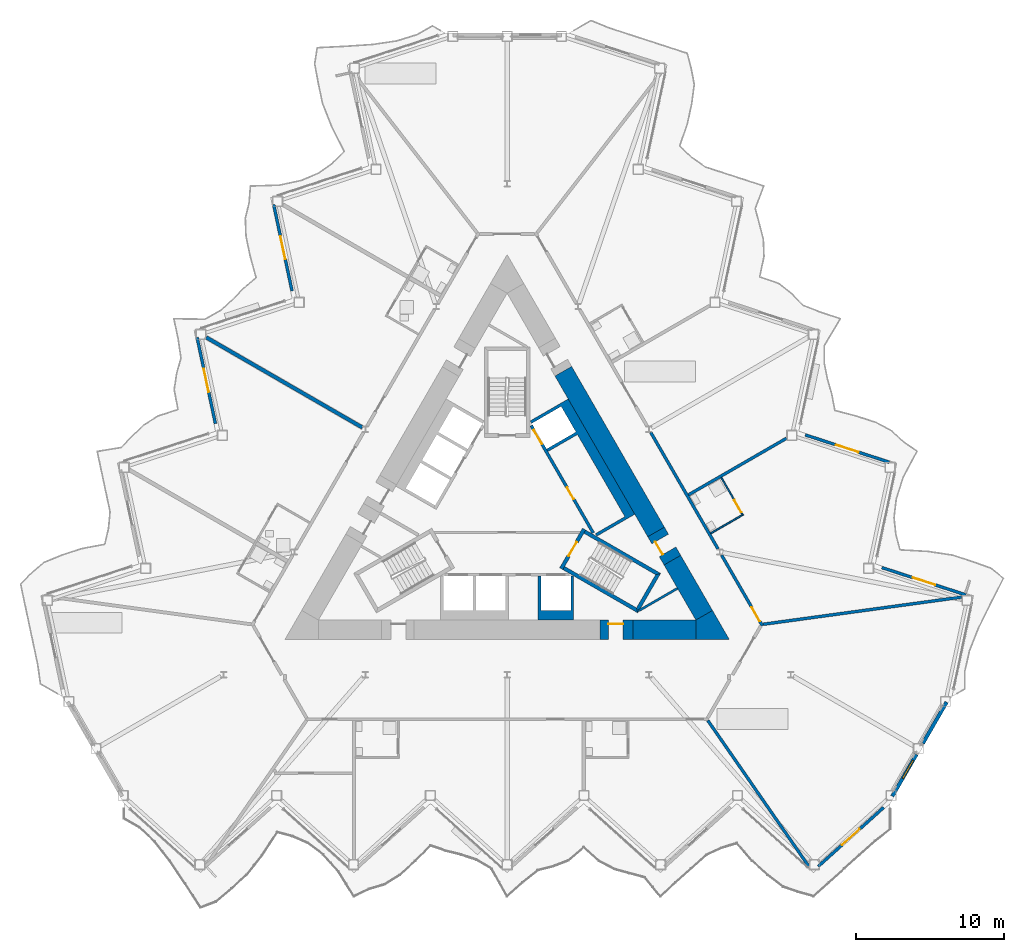
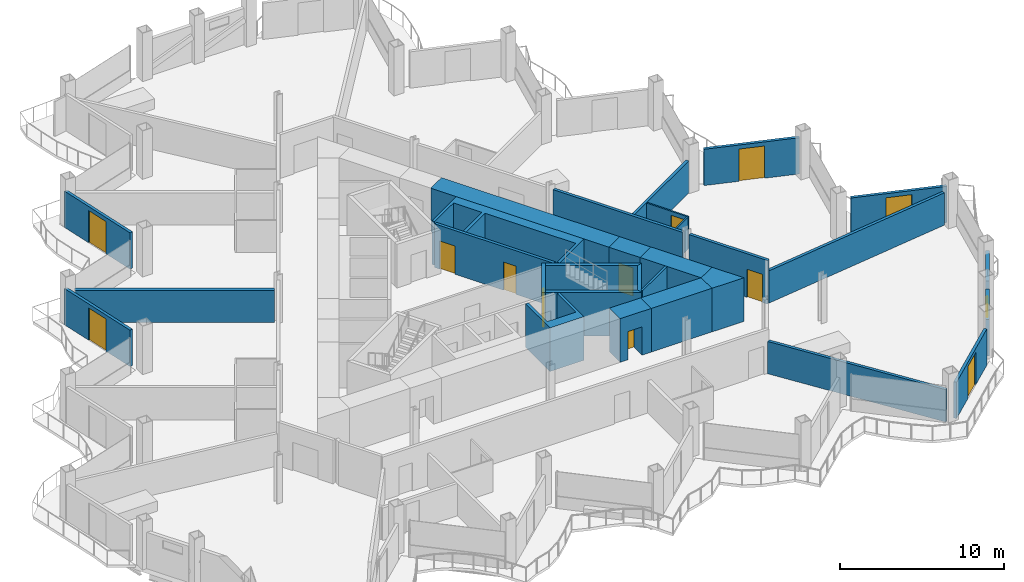
# One storey, part 13 of 23: 29 walls, 12 doors, 1 window, 13 openings.
"""IFC4 building model written with IfcOpenShell, lengths in metres."""

from ifc_helpers import new_model, si_unit, direction, frame, frame_2d, origin, place, context, subcontext, project, spatial, polyline, rectangle, outline, extrude, material, layer, layer_set, type_object, element, fill, save


model = new_model("IFC4")

# Units and contexts
model_context = context("Model", 3, precision=1e-05, world=origin(), true_north=direction((0.0, 1.0)))
body_context = subcontext(model_context, "Body", "Model", "MODEL_VIEW")
ifc_project = project(units=[si_unit("LENGTHUNIT", "METRE"), si_unit("AREAUNIT", "SQUARE_METRE"), si_unit("VOLUMEUNIT", "CUBIC_METRE"), si_unit("PLANEANGLEUNIT", "RADIAN"), si_unit("MASSUNIT", "GRAM", prefix="KILO")], contexts=[model_context])

# Site, building, storey
site_placement = place(None, origin())
site = spatial("IfcSite", under=ifc_project, at=site_placement, CompositionType="ELEMENT")
building_placement = place(site_placement, origin())
building = spatial("IfcBuilding", under=site, at=building_placement, Name="Cormorant Prow Tower", CompositionType="ELEMENT")
storey_placement = place(building_placement, frame((0.0, 0.0, 245.39990234375)))
storey = spatial("IfcBuildingStorey", under=building, at=storey_placement, Name="L54", CompositionType="ELEMENT", Elevation=245.39990234375)

# Walls
ifc_material_1 = material(Name="Gypsum board partition")
ifc_layer_1 = layer(ifc_material_1, 0.14990234375)
ifc_layer_set_1 = layer_set([ifc_layer_1], Name="Gypsum board partition")
wall_type_1 = type_object("IfcWallType", Name="Core partition 150", PredefinedType="PARTITIONING", material=ifc_layer_set_1)
wall_1_placement = place(storey_placement, frame((11.511474609375, -5.2177734375, 0.0), z_axis=(0.0, 0.0, 1.0), x_axis=(-0.866045649925, -0.499964931016, 0.0)))
element("IfcWall", 1, at=wall_1_placement, inside=storey, type_object=wall_type_1, Name="Service room partition", PredefinedType="PARTITIONING", context=body_context, shape_type="SweptSolid", body=[
    extrude(rectangle(XDim=2.992431640625, YDim=0.14990234375, at=frame_2d((1.49609375, 0.0))), origin(), (0.0, 0.0, 1.0), 3.25),
])
ifc_material_2 = material(Name="Concrete 8000 psi", Category="concrete")
ifc_layer_2 = layer(ifc_material_2, 1.300048828125)
ifc_layer_set_2 = layer_set([ifc_layer_2], Name="Concrete 8000 psi")
wall_type_2 = type_object("IfcWallType", Name="Core shear wall 1300", PredefinedType="SHEAR", material=ifc_layer_set_2)
wall_2_placement = place(storey_placement, frame((8.48828125, -8.01025390625, 0.0), z_axis=(0.0, 0.0, 1.0), x_axis=(1.0, 0.0, 0.0)))
element("IfcWall", 2, at=wall_2_placement, inside=storey, type_object=wall_type_2, Name="Core wall", PredefinedType="SHEAR", context=body_context, shape_type="SweptSolid", body=[
    extrude(rectangle(XDim=4.260009765625, YDim=1.300048828125, at=frame_2d((2.1298828125, 0.0))), origin(), (0.0, 0.0, 1.0), 3.25),
])
wall_3_placement = place(storey_placement, frame((10.0625, -1.408203125, 0.0), z_axis=(0.0, 0.0, 1.0), x_axis=(-0.500000545805, 0.866025088663, 0.0)))
element("IfcWall", 3, at=wall_3_placement, inside=storey, type_object=wall_type_2, Name="Core wall", PredefinedType="SHEAR", context=body_context, shape_type="SweptSolid", body=[
    extrude(rectangle(XDim=12.5390625, YDim=1.300048828125, at=frame_2d((6.26953125, 0.0))), origin(), (0.0, 0.0, 1.0), 3.25),
])
wall_4_placement = place(storey_placement, frame((13.311279296875, -7.035400390625, 0.0), z_axis=(0.0, 0.0, 1.0), x_axis=(-0.500012574659, 0.86601814368, 0.0)))
element("IfcWall", 4, at=wall_4_placement, inside=storey, type_object=wall_type_2, Name="Core wall", PredefinedType="SHEAR", context=body_context, shape_type="SweptSolid", body=[
    extrude(rectangle(XDim=4.2978515625, YDim=1.300048828125, at=frame_2d((2.14892578125, 0.0))), origin(), (0.0, 0.0, 1.0), 3.25),
])
wall_5_placement = place(storey_placement, origin())
element("IfcWall", 5, at=wall_5_placement, inside=storey, type_object=wall_type_2, Name="Core wall corner", PredefinedType="SHEAR", context=body_context, shape_type="SweptSolid", body=[
    extrude(outline(polyline([(12.748291015625, -8.660400390625), (12.748291015625, -7.3603515625), (13.874267578125, -6.710205078125), (15.0, -8.660400390625), (12.748291015625, -8.660400390625)])), origin(), (0.0, 0.0, 1.0), 3.25),
])

# Wall, opening, door
wall_6_placement = place(storey_placement, frame((6.2880859375, -8.01025390625, 0.0), z_axis=(0.0, 0.0, 1.0), x_axis=(1.0, 0.0, 0.0)))
wall_6 = element("IfcWall", 6, at=wall_6_placement, inside=storey, type_object=wall_type_2, Name="Core wall door panel", PredefinedType="SHEAR", context=body_context, shape_type="SweptSolid", body=[
    extrude(rectangle(XDim=2.2001953125, YDim=1.300048828125, at=frame_2d((1.10009765625, 0.0))), origin(), (0.0, 0.0, 1.0), 3.25),
])
opening_1_placement = place(wall_6_placement, frame((0.550048828125, 0.0, 0.0)))
opening_1 = element("IfcOpeningElement", 7, at=opening_1_placement, cuts=wall_6, Name="Opening L54-C13", PredefinedType="OPENING", context=body_context, shape_type="SweptSolid", body=[
    extrude(rectangle(XDim=1.0, YDim=2.10009765625, at=frame_2d((0.5, 1.050048828125))), frame((0.0, 0.659912109375, 0.0), z_axis=(0.0, -1.0, 0.0), x_axis=(1.0, 0.0, 0.0)), (0.0, 0.0, 1.0), 1.320068359375),
])
ifc_material_3 = material(Name="Painted steel", Category="steel")
door_type_1 = type_object("IfcDoorType", Name="Service door 1000x2100", OperationType="NOTDEFINED", PredefinedType="DOOR", material=ifc_material_3)
door_1_placement = place(opening_1_placement, origin())
door_1 = element("IfcDoor", 8, at=door_1_placement, inside=storey, type_object=door_type_1, Name="Core door, Telecom room", OperationType="SINGLE_SWING_RIGHT", OverallHeight=2.10009765625, OverallWidth=1.0, PredefinedType="DOOR", context=body_context, shape_type="SweptSolid", body=[
    extrude(rectangle(XDim=1.0, YDim=2.10009765625, at=frame_2d((0.5, 1.050048828125))), frame((0.0, 0.40478515625, 0.0), z_axis=(0.0, -1.0, 0.0), x_axis=(1.0, 0.0, 0.0)), (0.0, 0.0, 1.0), 0.050048828125),
])
fill(opening_1, door_1)

wall_7_placement = place(storey_placement, frame((11.16259765625, -3.3134765625, 0.0), z_axis=(0.0, 0.0, 1.0), x_axis=(-0.50002983664, 0.866008176907, 0.0)))
wall_7 = element("IfcWall", 9, at=wall_7_placement, inside=storey, type_object=wall_type_2, Name="Core wall door panel", PredefinedType="SHEAR", context=body_context, shape_type="SweptSolid", body=[
    extrude(rectangle(XDim=2.199951171875, YDim=1.300048828125, at=frame_2d((1.10009765625, 0.0))), origin(), (0.0, 0.0, 1.0), 3.25),
])
opening_2_placement = place(wall_7_placement, frame((0.64990234375, 0.0, 0.0)))
opening_2 = element("IfcOpeningElement", 10, at=opening_2_placement, cuts=wall_7, Name="Opening L54-C15", PredefinedType="OPENING", context=body_context, shape_type="SweptSolid", body=[
    extrude(rectangle(XDim=1.0, YDim=2.10009765625, at=frame_2d((0.5, 1.050048828125))), frame((0.0, 0.659912109375, 0.0), z_axis=(0.0, -1.0, 0.0), x_axis=(1.0, 0.0, 0.0)), (0.0, 0.0, 1.0), 1.320068359375),
])
door_2_placement = place(opening_2_placement, origin())
door_2 = element("IfcDoor", 11, at=door_2_placement, inside=storey, type_object=door_type_1, Name="Core door, Electrical room", OperationType="SINGLE_SWING_LEFT", OverallHeight=2.10009765625, OverallWidth=1.0, PredefinedType="DOOR", context=body_context, shape_type="SweptSolid", body=[
    extrude(rectangle(XDim=1.0, YDim=2.10009765625, at=frame_2d((0.5, 1.050048828125))), frame((0.0, 0.40478515625, 0.0), z_axis=(0.0, -1.0, 0.0), x_axis=(1.0, 0.0, 0.0)), (0.0, 0.0, 1.0), 0.050048828125),
])
fill(opening_2, door_2)

# Wall
ifc_material_4 = material(Name="Gypsum board corridor wall")
ifc_layer_3 = layer(ifc_material_4, 0.199951171875)
ifc_layer_set_3 = layer_set([ifc_layer_3], Name="Gypsum board corridor wall")
wall_type_3 = type_object("IfcWallType", Name="Corridor wall 200", PredefinedType="PARTITIONING", material=ifc_layer_set_3)
wall_8_placement = place(storey_placement, frame((9.699462890625, 5.320556640625, 0.0), z_axis=(0.0, 0.0, 1.0), x_axis=(0.49998193945, -0.866035830797, 0.0)))
element("IfcWall", 12, at=wall_8_placement, inside=storey, type_object=wall_type_3, Name="Corridor wall", PredefinedType="PARTITIONING", context=body_context, shape_type="SweptSolid", body=[
    extrude(rectangle(XDim=9.094482421875, YDim=0.199951171875, at=frame_2d((4.54736328125, 0.0))), origin(), (0.0, 0.0, 1.0), 3.25),
])

# Wall, opening, door
wall_9_placement = place(storey_placement, frame((14.488525390625, -2.974609375, 0.0), z_axis=(0.0, 0.0, 1.0), x_axis=(0.500017753321, -0.866015153657, 0.0)))
wall_9 = element("IfcWall", 13, at=wall_9_placement, inside=storey, type_object=wall_type_3, Name="Corridor wall", PredefinedType="PARTITIONING", context=body_context, shape_type="SweptSolid", body=[
    extrude(rectangle(XDim=5.510498046875, YDim=0.199951171875, at=frame_2d((2.75537109375, 0.0))), origin(), (0.0, 0.0, 1.0), 3.25),
])
opening_3_placement = place(wall_9_placement, frame((4.060302734375, 0.0, 0.0)))
opening_3 = element("IfcOpeningElement", 14, at=opening_3_placement, cuts=wall_9, Name="Opening L54-F08", PredefinedType="OPENING", context=body_context, shape_type="SweptSolid", body=[
    extrude(rectangle(XDim=1.10009765625, YDim=2.10009765625, at=frame_2d((0.550048828125, 1.050048828125))), frame((0.0, 0.10986328125, 0.0), z_axis=(0.0, -1.0, 0.0), x_axis=(1.0, 0.0, 0.0)), (0.0, 0.0, 1.0), 0.219970703125),
])
ifc_material_5 = material(Name="Timber door leaf", Category="wood")
door_type_2 = type_object("IfcDoorType", Name="Suite entrance door 1100x2100", OperationType="NOTDEFINED", PredefinedType="DOOR", material=ifc_material_5)
door_3_placement = place(opening_3_placement, origin())
door_3 = element("IfcDoor", 15, at=door_3_placement, inside=storey, type_object=door_type_2, Name="Executive suite bedroom door", OperationType="SINGLE_SWING_RIGHT", OverallHeight=2.10009765625, OverallWidth=1.10009765625, PredefinedType="DOOR", context=body_context, shape_type="SweptSolid", body=[
    extrude(rectangle(XDim=1.10009765625, YDim=2.10009765625, at=frame_2d((0.550048828125, 1.050048828125))), frame((0.0, 0.02490234375, 0.0), z_axis=(0.0, -1.0, 0.0), x_axis=(1.0, 0.0, 0.0)), (0.0, 0.0, 1.0), 0.050048828125),
])
fill(opening_3, door_3)

# Walls
ifc_material_6 = material(Name="Gypsum board demising wall")
ifc_layer_4 = layer(ifc_material_6, 0.199951171875)
ifc_layer_set_4 = layer_set([ifc_layer_4], Name="Gypsum board demising wall")
wall_type_4 = type_object("IfcWallType", Name="Demising wall 200", PredefinedType="PARTITIONING", material=ifc_layer_set_4)
wall_10_placement = place(storey_placement, frame((17.29296875, -7.646484375, 0.0), z_axis=(0.0, 0.0, 1.0), x_axis=(0.99075075074, 0.135694325259, 0.0)))
element("IfcWall", 16, at=wall_10_placement, inside=storey, type_object=wall_type_4, Name="Demising wall", PredefinedType="PARTITIONING", context=body_context, shape_type="SweptSolid", body=[
    extrude(rectangle(XDim=13.535400390625, YDim=0.199951171875, at=frame_2d((6.767578125, 0.0))), origin(), (0.0, 0.0, 1.0), 2.404296875),
])
wall_11_placement = place(storey_placement, frame((13.5556640625, -14.142578125, 0.0), z_axis=(0.0, 0.0, 1.0), x_axis=(0.56913494803, -0.82224413098, 0.0)))
element("IfcWall", 17, at=wall_11_placement, inside=storey, type_object=wall_type_4, Name="Demising wall", PredefinedType="PARTITIONING", context=body_context, shape_type="SweptSolid", body=[
    extrude(rectangle(XDim=12.013671875, YDim=0.199951171875, at=frame_2d((6.0068359375, 0.0))), origin(), (0.0, 0.0, 1.0), 2.404296875),
])
wall_12_placement = place(storey_placement, frame((12.2529296875, 1.097900390625, 0.0), z_axis=(0.0, 0.0, 1.0), x_axis=(0.866026077102, 0.499998833779, 0.0)))
element("IfcWall", 18, at=wall_12_placement, inside=storey, type_object=wall_type_4, Name="Demising wall", PredefinedType="PARTITIONING", context=body_context, shape_type="SweptSolid", body=[
    extrude(rectangle(XDim=7.646484375, YDim=0.199951171875, at=frame_2d((3.8232421875, 0.0))), origin(), (0.0, 0.0, 1.0), 2.404296875),
])

# Wall, opening, door
ifc_material_7 = material(Name="Gypsum board partition")
ifc_layer_5 = layer(ifc_material_7, 0.10009765625)
ifc_layer_set_5 = layer_set([ifc_layer_5], Name="Gypsum board partition")
wall_type_5 = type_object("IfcWallType", Name="Internal partition 100", PredefinedType="PARTITIONING", material=ifc_layer_set_5)
wall_13_placement = place(storey_placement, frame((14.468017578125, 2.26123046875, 0.0), z_axis=(0.0, 0.0, 1.0), x_axis=(0.500037662692, -0.866003658127, 0.0)))
wall_13 = element("IfcWall", 19, at=wall_13_placement, inside=storey, type_object=wall_type_5, Name="Internal partition", PredefinedType="PARTITIONING", context=body_context, shape_type="SweptSolid", body=[
    extrude(rectangle(XDim=2.949951171875, YDim=0.10009765625, at=frame_2d((1.47509765625, 0.0))), origin(), (0.0, 0.0, 1.0), 2.404296875),
])
opening_4_placement = place(wall_13_placement, frame((1.75, 0.0, 0.0)))
opening_4 = element("IfcOpeningElement", 20, at=opening_4_placement, cuts=wall_13, Name="Opening L54-F09", PredefinedType="OPENING", context=body_context, shape_type="SweptSolid", body=[
    extrude(rectangle(XDim=0.949951171875, YDim=2.10009765625, at=frame_2d((0.47509765625, 1.050048828125))), frame((0.0, 0.06005859375, 0.0), z_axis=(0.0, -1.0, 0.0), x_axis=(1.0, 0.0, 0.0)), (0.0, 0.0, 1.0), 0.1201171875),
])
ifc_material_8 = material(Name="Timber door leaf", Category="wood")
door_type_3 = type_object("IfcDoorType", Name="Bathroom door 950x2100", OperationType="NOTDEFINED", PredefinedType="DOOR", material=ifc_material_8)
door_4_placement = place(opening_4_placement, origin())
door_4 = element("IfcDoor", 21, at=door_4_placement, inside=storey, type_object=door_type_3, Name="Executive suite bedroom door", OperationType="SINGLE_SWING_RIGHT", OverallHeight=2.10009765625, OverallWidth=0.949951171875, PredefinedType="DOOR", context=body_context, shape_type="SweptSolid", body=[
    extrude(rectangle(XDim=0.949951171875, YDim=2.10009765625, at=frame_2d((0.47509765625, 1.050048828125))), frame((0.0, 0.02490234375, 0.0), z_axis=(0.0, -1.0, 0.0), x_axis=(1.0, 0.0, 0.0)), (0.0, 0.0, 1.0), 0.050048828125),
])
fill(opening_4, door_4)

# Wall
wall_14_placement = place(storey_placement, frame((13.7529296875, -1.500244140625, 0.0), z_axis=(0.0, 0.0, 1.0), x_axis=(0.866014668023, 0.500018594424, 0.0)))
element("IfcWall", 22, at=wall_14_placement, inside=storey, type_object=wall_type_5, Name="Internal partition", PredefinedType="PARTITIONING", context=body_context, shape_type="SweptSolid", body=[
    extrude(rectangle(XDim=2.4501953125, YDim=0.10009765625, at=frame_2d((1.22509765625, 0.0))), origin(), (0.0, 0.0, 1.0), 2.404296875),
])

# Wall, openings, doors
ifc_material_9 = material(Name="Concrete 5000 psi", Category="concrete")
ifc_layer_6 = layer(ifc_material_9, 0.199951171875)
ifc_layer_set_6 = layer_set([ifc_layer_6], Name="Concrete 5000 psi")
wall_type_6 = type_object("IfcWallType", Name="Lift lobby wall 200", PredefinedType="SOLIDWALL", material=ifc_layer_set_6)
wall_15_placement = place(storey_placement, frame((5.817138671875, -1.4755859375, 0.0), z_axis=(0.0, 0.0, 1.0), x_axis=(-0.500002616675, 0.866023893041, 0.0)))
wall_15 = element("IfcWall", 23, at=wall_15_placement, inside=storey, type_object=wall_type_6, Name="Lift lobby wall, ENE block", PredefinedType="SOLIDWALL", context=body_context, shape_type="SweptSolid", body=[
    extrude(rectangle(XDim=8.373046875, YDim=0.199951171875, at=frame_2d((4.1865234375, 0.0))), origin(), (0.0, 0.0, 1.0), 3.25),
])
opening_5_placement = place(wall_15_placement, frame((2.63671875, 0.0, 0.0)))
opening_5 = element("IfcOpeningElement", 24, at=opening_5_placement, cuts=wall_15, Name="Opening L54-C05", PredefinedType="OPENING", context=body_context, shape_type="SweptSolid", body=[
    extrude(rectangle(XDim=0.89990234375, YDim=2.10009765625, at=frame_2d((0.449951171875, 1.050048828125))), frame((0.0, 0.10986328125, 0.0), z_axis=(0.0, -1.0, 0.0), x_axis=(1.0, 0.0, 0.0)), (0.0, 0.0, 1.0), 0.219970703125),
])
opening_6_placement = place(wall_15_placement, frame((6.9365234375, 0.0, 0.0)))
opening_6 = element("IfcOpeningElement", 25, at=opening_6_placement, cuts=wall_15, Name="Opening L54-C06", PredefinedType="OPENING", context=body_context, shape_type="SweptSolid", body=[
    extrude(rectangle(XDim=1.10009765625, YDim=2.10009765625, at=frame_2d((0.550048828125, 1.050048828125))), frame((0.0, 0.10986328125, 0.0), z_axis=(0.0, -1.0, 0.0), x_axis=(1.0, 0.0, 0.0)), (0.0, 0.0, 1.0), 0.219970703125),
])
ifc_material_10 = material(Name="Painted steel", Category="steel")
door_type_4 = type_object("IfcDoorType", Name="Lift landing door 1100x2100", OperationType="SLIDING_TO_LEFT", PredefinedType="DOOR", material=ifc_material_10)
door_5_placement = place(opening_6_placement, origin())
door_5 = element("IfcDoor", 26, at=door_5_placement, inside=storey, type_object=door_type_4, Name="Landing door MR1", OperationType="SLIDING_TO_LEFT", OverallHeight=2.10009765625, OverallWidth=1.10009765625, PredefinedType="DOOR", context=body_context, shape_type="SweptSolid", body=[
    extrude(rectangle(XDim=1.10009765625, YDim=2.10009765625, at=frame_2d((0.550048828125, 1.050048828125))), frame((0.0, 0.02490234375, 0.0), z_axis=(0.0, -1.0, 0.0), x_axis=(1.0, 0.0, 0.0)), (0.0, 0.0, 1.0), 0.050048828125),
])
fill(opening_6, door_5)
ifc_material_11 = material(Name="Painted steel", Category="steel")
door_type_5 = type_object("IfcDoorType", Name="Service door 900x2100", OperationType="NOTDEFINED", PredefinedType="DOOR", material=ifc_material_11)
door_6_placement = place(opening_5_placement, origin())
door_6 = element("IfcDoor", 27, at=door_6_placement, inside=storey, type_object=door_type_5, Name="Service door, Housekeeping store", OperationType="SINGLE_SWING_LEFT", OverallHeight=2.10009765625, OverallWidth=0.89990234375, PredefinedType="DOOR", context=body_context, shape_type="SweptSolid", body=[
    extrude(rectangle(XDim=0.89990234375, YDim=2.10009765625, at=frame_2d((0.449951171875, 1.050048828125))), frame((0.0, 0.02490234375, 0.0), z_axis=(0.0, -1.0, 0.0), x_axis=(1.0, 0.0, 0.0)), (0.0, 0.0, 1.0), 0.050048828125),
])
fill(opening_5, door_6)

# Walls
ifc_material_12 = material(Name="Concrete 8000 psi", Category="concrete")
ifc_layer_7 = layer(ifc_material_12, 0.199951171875)
ifc_layer_set_7 = layer_set([ifc_layer_7], Name="Concrete 8000 psi")
wall_type_7 = type_object("IfcWallType", Name="Lift shaft wall 200", PredefinedType="SHEAR", material=ifc_layer_set_7)
wall_16_placement = place(storey_placement, origin())
element("IfcWall", 28, at=wall_16_placement, inside=storey, type_object=wall_type_7, Name="Lift shaft walls, S block", PredefinedType="SHEAR", context=body_context, shape_type="SweptSolid", body=[
    extrude(outline(polyline([(2.10009765625, -7.3603515625), (2.10009765625, -4.39990234375), (2.300048828125, -4.39990234375), (2.300048828125, -6.699951171875), (4.300048828125, -6.699951171875), (4.300048828125, -4.39990234375), (4.5, -4.39990234375), (4.5, -7.3603515625), (2.10009765625, -7.3603515625)])), origin(), (0.0, 0.0, 1.0), 3.25),
])
wall_17_placement = place(storey_placement, origin())
element("IfcWall", 29, at=wall_17_placement, inside=storey, type_object=wall_type_7, Name="Lift shaft walls, ENE block", PredefinedType="SHEAR", context=body_context, shape_type="SweptSolid", body=[
    extrude(outline(polyline([(4.124267578125, 7.5771484375), (8.624267578125, -0.217041015625), (8.230712890625, -0.444091796875), (6.060546875, -1.697021484375), (5.96044921875, -1.52392578125), (7.952392578125, -0.373779296875), (4.75244140625, 5.168701171875), (2.760498046875, 4.018798828125), (2.660400390625, 4.19189453125), (4.65234375, 5.341796875), (3.65234375, 7.073974609375), (1.660400390625, 5.923828125), (1.560546875, 6.09716796875), (3.730712890625, 7.35009765625), (4.124267578125, 7.5771484375)])), origin(), (0.0, 0.0, 1.0), 3.25),
])
ifc_material_13 = material(Name="Concrete 8000 psi", Category="concrete")
ifc_layer_8 = layer(ifc_material_13, 0.25)
ifc_layer_set_8 = layer_set([ifc_layer_8], Name="Concrete 8000 psi")
wall_type_8 = type_object("IfcWallType", Name="Stair wall 250", PredefinedType="SHEAR", material=ifc_layer_set_8)
wall_18_placement = place(storey_placement, origin())
element("IfcWall", 30, at=wall_18_placement, inside=storey, type_object=wall_type_8, Name="Stair ST2 enclosure wall (flank)", PredefinedType="SHEAR", context=body_context, shape_type="SweptSolid", body=[
    extrude(outline(polyline([(3.76318359375, -3.95556640625), (8.82958984375, -6.880615234375), (8.738037109375, -6.5390625), (3.88818359375, -3.739013671875), (3.76318359375, -3.95556640625)])), origin(), (0.0, 0.0, 1.0), 3.25),
])
wall_19_placement = place(storey_placement, origin())
element("IfcWall", 31, at=wall_19_placement, inside=storey, type_object=wall_type_8, Name="Stair ST2 enclosure wall (end)", PredefinedType="SHEAR", context=body_context, shape_type="SweptSolid", body=[
    extrude(outline(polyline([(8.82958984375, -6.880615234375), (10.37353515625, -4.206298828125), (10.031982421875, -4.2978515625), (8.738037109375, -6.5390625), (8.82958984375, -6.880615234375)])), origin(), (0.0, 0.0, 1.0), 3.25),
])
wall_20_placement = place(storey_placement, origin())
element("IfcWall", 32, at=wall_20_placement, inside=storey, type_object=wall_type_8, Name="Stair ST2 enclosure wall (flank)", PredefinedType="SHEAR", context=body_context, shape_type="SweptSolid", body=[
    extrude(outline(polyline([(10.031982421875, -4.2978515625), (10.37353515625, -4.206298828125), (5.30712890625, -1.28125), (5.18212890625, -1.497802734375), (10.031982421875, -4.2978515625)])), origin(), (0.0, 0.0, 1.0), 3.25),
])

# Wall, opening, door
wall_21_placement = place(storey_placement, frame((3.655029296875, -3.89306640625, 0.0), z_axis=(0.0, 0.0, 1.0), x_axis=(0.499982516597, 0.866035497597, 0.0)))
wall_21 = element("IfcWall", 33, at=wall_21_placement, inside=storey, type_object=wall_type_8, Name="Stair ST2 door wall", PredefinedType="SHEAR", context=body_context, shape_type="SweptSolid", body=[
    extrude(rectangle(XDim=3.087890625, YDim=0.25, at=frame_2d((1.5439453125, 0.0))), origin(), (0.0, 0.0, 1.0), 3.25),
])
opening_7_placement = place(wall_21_placement, frame((0.993896484375, 0.0, 0.0)))
opening_7 = element("IfcOpeningElement", 34, at=opening_7_placement, cuts=wall_21, Name="Opening L54-C11", PredefinedType="OPENING", context=body_context, shape_type="SweptSolid", body=[
    extrude(rectangle(XDim=1.10009765625, YDim=2.10009765625, at=frame_2d((0.550048828125, 1.050048828125))), frame((0.0, 0.135009765625, 0.0), z_axis=(0.0, -1.0, 0.0), x_axis=(1.0, 0.0, 0.0)), (0.0, 0.0, 1.0), 0.27001953125),
])
ifc_material_14 = material(Name="Painted steel", Category="steel")
door_type_6 = type_object("IfcDoorType", Name="Stair door 1100x2100", OperationType="NOTDEFINED", PredefinedType="DOOR", material=ifc_material_14)
door_7_placement = place(opening_7_placement, origin())
door_7 = element("IfcDoor", 35, at=door_7_placement, inside=storey, type_object=door_type_6, Name="Stair ST2 door", OperationType="SINGLE_SWING_RIGHT", OverallHeight=2.10009765625, OverallWidth=1.10009765625, PredefinedType="DOOR", context=body_context, shape_type="SweptSolid", body=[
    extrude(rectangle(XDim=1.10009765625, YDim=2.10009765625, at=frame_2d((0.550048828125, 1.050048828125))), frame((0.0, 0.02490234375, 0.0), z_axis=(0.0, -1.0, 0.0), x_axis=(1.0, 0.0, 0.0)), (0.0, 0.0, 1.0), 0.050048828125),
])
fill(opening_7, door_7)

# Wall
ifc_material_15 = material(Name="Acoustic gypsum party wall")
ifc_layer_9 = layer(ifc_material_15, 0.25)
ifc_layer_set_9 = layer_set([ifc_layer_9], Name="Acoustic gypsum party wall")
wall_type_9 = type_object("IfcWallType", Name="Suite party wall 250", PredefinedType="PARTITIONING", material=ifc_layer_set_9)
wall_22_placement = place(storey_placement, frame((-20.32666015625, 11.735595703125, 0.0), z_axis=(0.0, 0.0, 1.0), x_axis=(0.866024549986, -0.50000147882, 0.0)))
element("IfcWall", 36, at=wall_22_placement, inside=storey, type_object=wall_type_9, Name="Suite party wall", PredefinedType="PARTITIONING", context=body_context, shape_type="SweptSolid", body=[
    extrude(rectangle(XDim=12.1689453125, YDim=0.25, at=frame_2d((6.08447265625, 0.0))), origin(), (0.0, 0.0, 1.0), 2.404296875),
])

# Wall, opening, window
ifc_material_16 = material(Name="Terracotta", Category="masonry")
ifc_layer_10 = layer(ifc_material_16, 0.25)
ifc_layer_set_10 = layer_set([ifc_layer_10], Name="Terracotta")
wall_type_10 = type_object("IfcWallType", Name="Terracotta bay wall 250", PredefinedType="SOLIDWALL", material=ifc_layer_set_10)
wall_23_placement = place(storey_placement, frame((26.020751953125, -19.26171875, 0.0), z_axis=(0.0, 0.0, 1.0), x_axis=(0.500026945261, 0.866009846372, 0.0)))
wall_23 = element("IfcWall", 37, at=wall_23_placement, inside=storey, type_object=wall_type_10, Name="Terracotta bay wall ESE00", PredefinedType="SOLIDWALL", context=body_context, shape_type="SweptSolid", body=[
    extrude(rectangle(XDim=3.261962890625, YDim=0.25, at=frame_2d((1.630859375, 0.0))), origin(), (0.0, 0.0, 1.0), 2.700927734375),
])
opening_8_placement = place(wall_23_placement, frame((1.39990234375, 0.0, 1.89990234375)))
opening_8 = element("IfcOpeningElement", 38, at=opening_8_placement, cuts=wall_23, Name="Opening WN6", PredefinedType="OPENING", context=body_context, shape_type="SweptSolid", body=[
    extrude(rectangle(XDim=1.39990234375, YDim=0.60009765625, at=frame_2d((0.699951171875, 0.300048828125))), frame((0.0, 0.135009765625, 0.0), z_axis=(0.0, -1.0, 0.0), x_axis=(1.0, 0.0, 0.0)), (0.0, 0.0, 1.0), 0.27001953125),
])
ifc_material_17 = material(Name="Aluminium 6063-T6", Category="aluminium")
window_type = type_object("IfcWindowType", Name="Corner bay window 1400x600", PartitioningType="SINGLE_PANEL", PredefinedType="WINDOW", material=ifc_material_17)
window_placement = place(opening_8_placement, origin())
window = element("IfcWindow", 39, at=window_placement, inside=storey, type_object=window_type, Name="Corner bay window ESE00", OverallHeight=0.60009765625, OverallWidth=1.39990234375, PartitioningType="SINGLE_PANEL", PredefinedType="WINDOW", context=body_context, shape_type="SweptSolid", body=[
    extrude(rectangle(XDim=1.39990234375, YDim=0.60009765625, at=frame_2d((0.699951171875, 0.300048828125))), frame((0.0, 0.030029296875, 0.0), z_axis=(0.0, -1.0, 0.0), x_axis=(1.0, 0.0, 0.0)), (0.0, 0.0, 1.0), 0.06005859375),
])
fill(opening_8, window)

# Wall
wall_24_placement = place(storey_placement, frame((28.0849609375, -15.686767578125, 0.0), z_axis=(0.0, 0.0, 1.0), x_axis=(0.499987708133, 0.866032500381, 0.0)))
element("IfcWall", 40, at=wall_24_placement, inside=storey, type_object=wall_type_10, Name="Terracotta bay wall ESE01", PredefinedType="SOLIDWALL", context=body_context, shape_type="SweptSolid", body=[
    extrude(rectangle(XDim=3.21337890625, YDim=0.25, at=frame_2d((1.606689453125, 0.0))), origin(), (0.0, 0.0, 1.0), 2.700927734375),
])

# Wall, opening, door
ifc_material_18 = material(Name="Terracotta", Category="masonry")
ifc_layer_11 = layer(ifc_material_18, 0.199951171875)
ifc_layer_set_11 = layer_set([ifc_layer_11], Name="Terracotta")
wall_type_11 = type_object("IfcWallType", Name="Terracotta jamb wall 200", PredefinedType="SOLIDWALL", material=ifc_layer_set_11)
wall_25_placement = place(storey_placement, frame((21.00830078125, -24.0087890625, 0.0), z_axis=(0.0, 0.0, 1.0), x_axis=(0.743133280699, 0.669143427912, 0.0)))
wall_25 = element("IfcWall", 41, at=wall_25_placement, inside=storey, type_object=wall_type_11, Name="Terracotta jamb wall S09", PredefinedType="SOLIDWALL", context=body_context, shape_type="SweptSolid", body=[
    extrude(rectangle(XDim=5.96240234375, YDim=0.199951171875, at=frame_2d((2.981201171875, 0.0))), origin(), (0.0, 0.0, 1.0), 2.700927734375),
])
opening_9_placement = place(wall_25_placement, frame((2.181396484375, 0.0, 0.0)))
opening_9 = element("IfcOpeningElement", 42, at=opening_9_placement, cuts=wall_25, Name="Opening ED54.05", PredefinedType="OPENING", context=body_context, shape_type="SweptSolid", body=[
    extrude(rectangle(XDim=1.60009765625, YDim=2.39990234375, at=frame_2d((0.800048828125, 1.199951171875))), frame((0.0, 0.10986328125, 0.0), z_axis=(0.0, -1.0, 0.0), x_axis=(1.0, 0.0, 0.0)), (0.0, 0.0, 1.0), 0.219970703125),
])
ifc_material_19 = material(Name="Aluminium 6063-T6", Category="aluminium")
door_type_7 = type_object("IfcDoorType", Name="Balcony door 1600x2400", OperationType="DOUBLE_DOOR_SINGLE_SWING", PredefinedType="DOOR", material=ifc_material_19)
door_8_placement = place(opening_9_placement, origin())
door_8 = element("IfcDoor", 43, at=door_8_placement, inside=storey, type_object=door_type_7, Name="Balcony door S09 ED54.05", OperationType="DOUBLE_DOOR_SINGLE_SWING", OverallHeight=2.39990234375, OverallWidth=1.60009765625, PredefinedType="DOOR", context=body_context, shape_type="SweptSolid", body=[
    extrude(rectangle(XDim=1.60009765625, YDim=2.39990234375, at=frame_2d((0.800048828125, 1.199951171875))), frame((0.0, 0.02490234375, 0.0), z_axis=(0.0, -1.0, 0.0), x_axis=(1.0, 0.0, 0.0)), (0.0, 0.0, 1.0), 0.050048828125),
])
fill(opening_9, door_8)

wall_26_placement = place(storey_placement, frame((30.990966796875, -5.66015625, 0.0), z_axis=(0.0, 0.0, 1.0), x_axis=(-0.951055430656, 0.309020335608, 0.0)))
wall_26 = element("IfcWall", 44, at=wall_26_placement, inside=storey, type_object=wall_type_11, Name="Terracotta jamb wall ENE01", PredefinedType="SOLIDWALL", context=body_context, shape_type="SweptSolid", body=[
    extrude(rectangle(XDim=5.96240234375, YDim=0.199951171875, at=frame_2d((2.981201171875, 0.0))), origin(), (0.0, 0.0, 1.0), 2.700927734375),
])
opening_10_placement = place(wall_26_placement, frame((2.181396484375, 0.0, 0.0)))
opening_10 = element("IfcOpeningElement", 45, at=opening_10_placement, cuts=wall_26, Name="Opening ED54.06", PredefinedType="OPENING", context=body_context, shape_type="SweptSolid", body=[
    extrude(rectangle(XDim=1.60009765625, YDim=2.39990234375, at=frame_2d((0.800048828125, 1.199951171875))), frame((0.0, 0.10986328125, 0.0), z_axis=(0.0, -1.0, 0.0), x_axis=(1.0, 0.0, 0.0)), (0.0, 0.0, 1.0), 0.219970703125),
])
door_9_placement = place(opening_10_placement, origin())
door_9 = element("IfcDoor", 46, at=door_9_placement, inside=storey, type_object=door_type_7, Name="Balcony door ENE01 ED54.06", OperationType="DOUBLE_DOOR_SINGLE_SWING", OverallHeight=2.39990234375, OverallWidth=1.60009765625, PredefinedType="DOOR", context=body_context, shape_type="SweptSolid", body=[
    extrude(rectangle(XDim=1.60009765625, YDim=2.39990234375, at=frame_2d((0.800048828125, 1.199951171875))), frame((0.0, 0.02490234375, 0.0), z_axis=(0.0, -1.0, 0.0), x_axis=(1.0, 0.0, 0.0)), (0.0, 0.0, 1.0), 0.050048828125),
])
fill(opening_10, door_9)

wall_27_placement = place(storey_placement, frame((25.815185546875, 3.304443359375, 0.0), z_axis=(0.0, 0.0, 1.0), x_axis=(-0.951055430656, 0.309020335608, 0.0)))
wall_27 = element("IfcWall", 47, at=wall_27_placement, inside=storey, type_object=wall_type_11, Name="Terracotta jamb wall ENE03", PredefinedType="SOLIDWALL", context=body_context, shape_type="SweptSolid", body=[
    extrude(rectangle(XDim=5.96240234375, YDim=0.199951171875, at=frame_2d((2.981201171875, 0.0))), origin(), (0.0, 0.0, 1.0), 2.700927734375),
])
opening_11_placement = place(wall_27_placement, frame((2.181396484375, 0.0, 0.0)))
opening_11 = element("IfcOpeningElement", 48, at=opening_11_placement, cuts=wall_27, Name="Opening ED54.07", PredefinedType="OPENING", context=body_context, shape_type="SweptSolid", body=[
    extrude(rectangle(XDim=1.60009765625, YDim=2.39990234375, at=frame_2d((0.800048828125, 1.199951171875))), frame((0.0, 0.10986328125, 0.0), z_axis=(0.0, -1.0, 0.0), x_axis=(1.0, 0.0, 0.0)), (0.0, 0.0, 1.0), 0.219970703125),
])
door_10_placement = place(opening_11_placement, origin())
door_10 = element("IfcDoor", 49, at=door_10_placement, inside=storey, type_object=door_type_7, Name="Balcony door ENE03 ED54.07", OperationType="DOUBLE_DOOR_SINGLE_SWING", OverallHeight=2.39990234375, OverallWidth=1.60009765625, PredefinedType="DOOR", context=body_context, shape_type="SweptSolid", body=[
    extrude(rectangle(XDim=1.60009765625, YDim=2.39990234375, at=frame_2d((0.800048828125, 1.199951171875))), frame((0.0, 0.02490234375, 0.0), z_axis=(0.0, -1.0, 0.0), x_axis=(1.0, 0.0, 0.0)), (0.0, 0.0, 1.0), 0.050048828125),
])
fill(opening_11, door_10)

wall_28_placement = place(storey_placement, frame((-15.769287109375, 20.70458984375, 0.0), z_axis=(0.0, 0.0, 1.0), x_axis=(0.207920947907, -0.978145633033, 0.0)))
wall_28 = element("IfcWall", 50, at=wall_28_placement, inside=storey, type_object=wall_type_11, Name="Terracotta jamb wall WNW03", PredefinedType="SOLIDWALL", context=body_context, shape_type="SweptSolid", body=[
    extrude(rectangle(XDim=5.962646484375, YDim=0.199951171875, at=frame_2d((2.9814453125, 0.0))), origin(), (0.0, 0.0, 1.0), 2.700927734375),
])
opening_12_placement = place(wall_28_placement, frame((2.181396484375, 0.0, 0.0)))
opening_12 = element("IfcOpeningElement", 51, at=opening_12_placement, cuts=wall_28, Name="Opening ED54.12", PredefinedType="OPENING", context=body_context, shape_type="SweptSolid", body=[
    extrude(rectangle(XDim=1.60009765625, YDim=2.39990234375, at=frame_2d((0.800048828125, 1.199951171875))), frame((0.0, 0.10986328125, 0.0), z_axis=(0.0, -1.0, 0.0), x_axis=(1.0, 0.0, 0.0)), (0.0, 0.0, 1.0), 0.219970703125),
])
door_11_placement = place(opening_12_placement, origin())
door_11 = element("IfcDoor", 52, at=door_11_placement, inside=storey, type_object=door_type_7, Name="Balcony door WNW03 ED54.12", OperationType="DOUBLE_DOOR_SINGLE_SWING", OverallHeight=2.39990234375, OverallWidth=1.60009765625, PredefinedType="DOOR", context=body_context, shape_type="SweptSolid", body=[
    extrude(rectangle(XDim=1.60009765625, YDim=2.39990234375, at=frame_2d((0.800048828125, 1.199951171875))), frame((0.0, 0.02490234375, 0.0), z_axis=(0.0, -1.0, 0.0), x_axis=(1.0, 0.0, 0.0)), (0.0, 0.0, 1.0), 0.050048828125),
])
fill(opening_12, door_11)

wall_29_placement = place(storey_placement, frame((-20.945068359375, 11.739990234375, 0.0), z_axis=(0.0, 0.0, 1.0), x_axis=(0.207920947907, -0.978145633033, 0.0)))
wall_29 = element("IfcWall", 53, at=wall_29_placement, inside=storey, type_object=wall_type_11, Name="Terracotta jamb wall WNW05", PredefinedType="SOLIDWALL", context=body_context, shape_type="SweptSolid", body=[
    extrude(rectangle(XDim=5.962646484375, YDim=0.199951171875, at=frame_2d((2.9814453125, 0.0))), origin(), (0.0, 0.0, 1.0), 2.700927734375),
])
opening_13_placement = place(wall_29_placement, frame((2.181396484375, 0.0, 0.0)))
opening_13 = element("IfcOpeningElement", 54, at=opening_13_placement, cuts=wall_29, Name="Opening ED54.13", PredefinedType="OPENING", context=body_context, shape_type="SweptSolid", body=[
    extrude(rectangle(XDim=1.60009765625, YDim=2.39990234375, at=frame_2d((0.800048828125, 1.199951171875))), frame((0.0, 0.10986328125, 0.0), z_axis=(0.0, -1.0, 0.0), x_axis=(1.0, 0.0, 0.0)), (0.0, 0.0, 1.0), 0.219970703125),
])
door_12_placement = place(opening_13_placement, origin())
door_12 = element("IfcDoor", 55, at=door_12_placement, inside=storey, type_object=door_type_7, Name="Balcony door WNW05 ED54.13", OperationType="DOUBLE_DOOR_SINGLE_SWING", OverallHeight=2.39990234375, OverallWidth=1.60009765625, PredefinedType="DOOR", context=body_context, shape_type="SweptSolid", body=[
    extrude(rectangle(XDim=1.60009765625, YDim=2.39990234375, at=frame_2d((0.800048828125, 1.199951171875))), frame((0.0, 0.02490234375, 0.0), z_axis=(0.0, -1.0, 0.0), x_axis=(1.0, 0.0, 0.0)), (0.0, 0.0, 1.0), 0.050048828125),
])
fill(opening_13, door_12)

save(model, "model.ifc")
